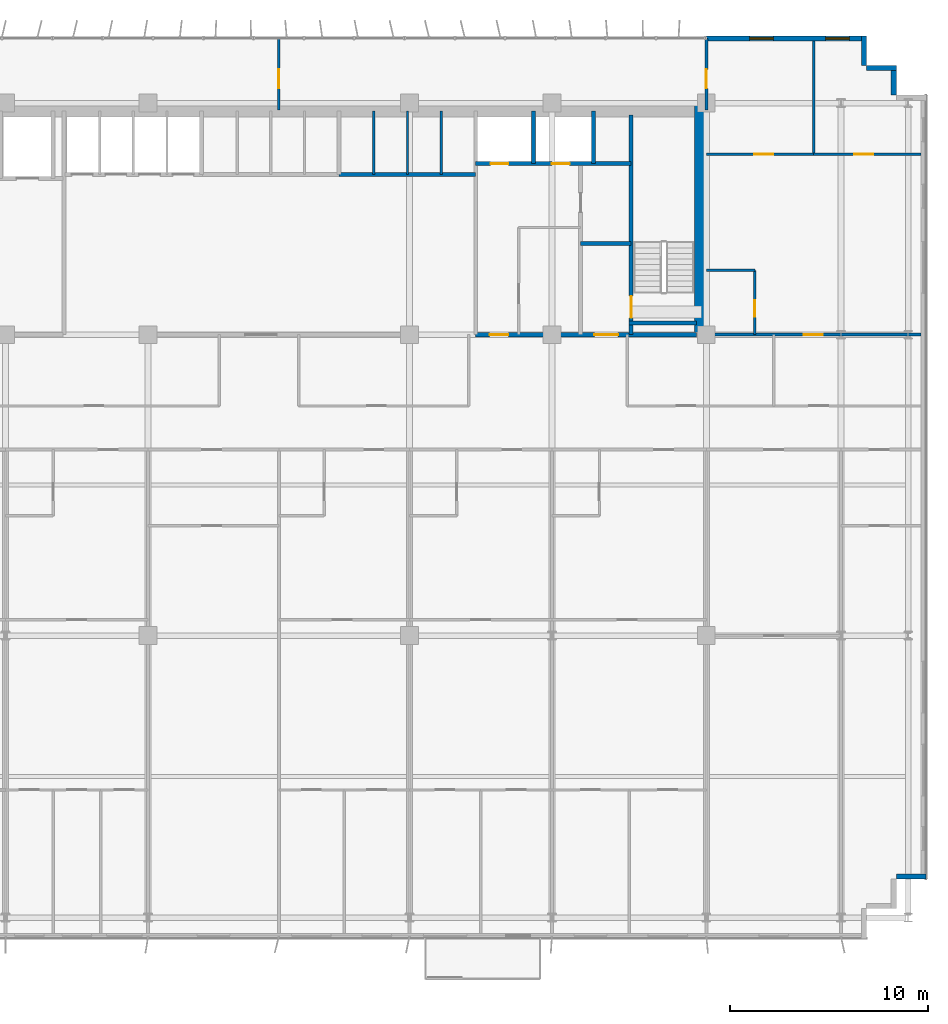
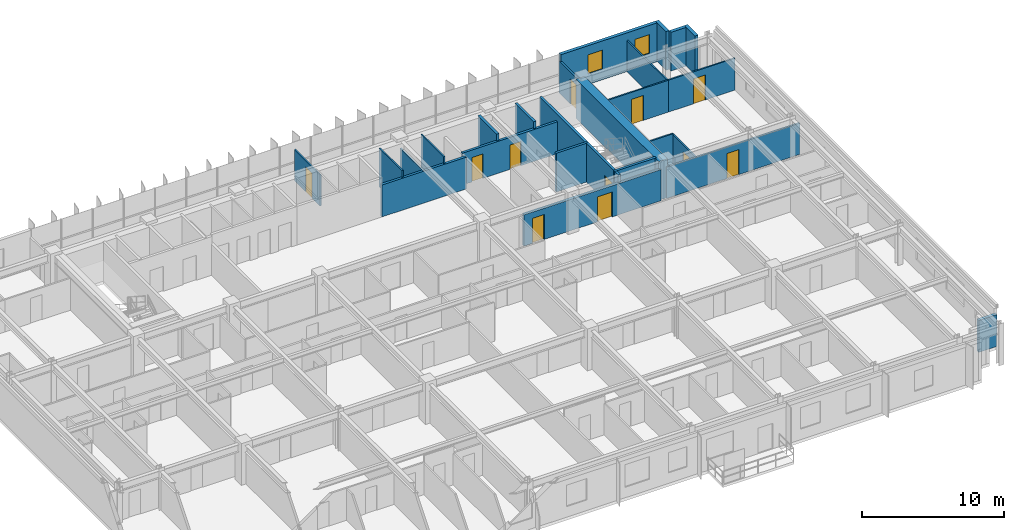
# One storey, part 20 of 24: 25 walls, 11 doors, 2 windows, 13 openings.
"""IFC4 building model written with IfcOpenShell, lengths in metres."""

from ifc_helpers import new_model, si_unit, direction, frame, frame_2d, origin, place, context, subcontext, project, spatial, rectangle, extrude, source, transform, mapped, material, layer, layer_set, type_object, element, fill, save


model = new_model("IFC4")

# Units and contexts
model_context = context("Model", 3, precision=1e-05, world=origin(), true_north=direction((0.0, 1.0)))
body_context = subcontext(model_context, "Body", "Model", "MODEL_VIEW")
ifc_project = project(units=[si_unit("LENGTHUNIT", "METRE"), si_unit("AREAUNIT", "SQUARE_METRE"), si_unit("VOLUMEUNIT", "CUBIC_METRE"), si_unit("PLANEANGLEUNIT", "RADIAN"), si_unit("MASSUNIT", "GRAM", prefix="KILO")], contexts=[model_context])

# Site, building, storey
site_placement = place(None, origin())
site = spatial("IfcSite", under=ifc_project, at=site_placement, CompositionType="ELEMENT")
building_placement = place(site_placement, origin())
building = spatial("IfcBuilding", under=site, at=building_placement, Name="Trelvane Seafront Commons", CompositionType="ELEMENT")
storey_placement = place(building_placement, frame((0.0, 0.0, 27.10009765625)))
storey = spatial("IfcBuildingStorey", under=building, at=storey_placement, Name="L06", CompositionType="ELEMENT", Elevation=27.10009765625)

# Wall, openings, windows
ifc_material_1 = material(Name="Precast concrete C40/50", Category="concrete")
ifc_layer_1 = layer(ifc_material_1, 0.260009765625, Name="ARCH-WALL-EXT260")
ifc_layer_set_1 = layer_set([ifc_layer_1], Name="Precast concrete C40/50")
wall_type_1 = type_object("IfcWallType", Name="ARCH-WALL-EXT260", PredefinedType="SOLIDWALL", material=ifc_layer_set_1)
wall_1_placement = place(storey_placement, frame((58.800048828125, 48.3701171875, 0.0), z_axis=(0.0, 0.0, 1.0), x_axis=(1.0, 0.0, 0.0)))
wall_1 = element("IfcWall", 1, at=wall_1_placement, inside=storey, type_object=wall_type_1, Name="EW-L06-NE-0067", PredefinedType="SOLIDWALL", context=body_context, shape_type="SweptSolid", body=[
    extrude(rectangle(XDim=8.0, YDim=0.260009765625, at=frame_2d((4.0, 0.0))), origin(), (0.0, 0.0, 1.0), 3.33984375),
])
opening_1_placement = place(wall_1_placement, frame((2.19189453125, 0.0, 0.89990234375)))
opening_1 = element("IfcOpeningElement", 2, at=opening_1_placement, cuts=wall_1, Name="Opening W05", PredefinedType="OPENING", context=body_context, shape_type="SweptSolid", body=[
    extrude(rectangle(XDim=1.199951171875, YDim=1.64990234375, at=frame_2d((0.60009765625, 0.824951171875))), frame((0.0, 0.139892578125, 0.0), z_axis=(0.0, -1.0, 0.0), x_axis=(1.0, 0.0, 0.0)), (0.0, 0.0, 1.0), 0.280029296875),
])
opening_2_placement = place(wall_1_placement, frame((6.032958984375, 0.0, 0.89990234375)))
opening_2 = element("IfcOpeningElement", 3, at=opening_2_placement, cuts=wall_1, Name="Opening W05", PredefinedType="OPENING", context=body_context, shape_type="SweptSolid", body=[
    extrude(rectangle(XDim=1.199951171875, YDim=1.64990234375, at=frame_2d((0.60009765625, 0.824951171875))), frame((0.0, 0.139892578125, 0.0), z_axis=(0.0, -1.0, 0.0), x_axis=(1.0, 0.0, 0.0)), (0.0, 0.0, 1.0), 0.280029296875),
])
ifc_material_2 = material(Name="Low-E coastal double glazing", Category="glass")
window_type = type_object("IfcWindowType", Name="ARCH-WIN-W05", PartitioningType="SINGLE_PANEL", PredefinedType="WINDOW", material=ifc_material_2)
shared_shape_1 = source(origin(), body_context, "Body", "SweptSolid", [
    extrude(rectangle(XDim=1.199951171875, YDim=1.64990234375, at=frame_2d((0.60009765625, 0.824951171875))), frame((0.0, 0.030029296875, 0.0), z_axis=(0.0, -1.0, 0.0), x_axis=(1.0, 0.0, 0.0)), (0.0, 0.0, 1.0), 0.06005859375),
])
window_1_placement = place(opening_1_placement, origin())
window_1 = element("IfcWindow", 4, at=window_1_placement, inside=storey, type_object=window_type, Name="WIN-L06-00102", OverallHeight=1.64990234375, OverallWidth=1.199951171875, PartitioningType="SINGLE_PANEL", PredefinedType="WINDOW", context=body_context, shape_type="MappedRepresentation", body=[
    mapped(shared_shape_1, transform((0.0, 0.0, 0.0), x_axis=(1.0, 0.0, 0.0), y_axis=(0.0, 1.0, 0.0), z_axis=(0.0, 0.0, 1.0), scale=1.0)),
])
fill(opening_1, window_1)
window_2_placement = place(opening_2_placement, origin())
window_2 = element("IfcWindow", 5, at=window_2_placement, inside=storey, type_object=window_type, Name="WIN-L06-00103", OverallHeight=1.64990234375, OverallWidth=1.199951171875, PartitioningType="SINGLE_PANEL", PredefinedType="WINDOW", context=body_context, shape_type="MappedRepresentation", body=[
    mapped(shared_shape_1, transform((0.0, 0.0, 0.0), x_axis=(1.0, 0.0, 0.0), y_axis=(0.0, 1.0, 0.0), z_axis=(0.0, 0.0, 1.0), scale=1.0)),
])
fill(opening_2, window_2)

# Walls
for number, where, z_axis, x_axis, name in (
    (6, (66.77001953125, 48.5, 0.0), (0.0, 0.0, 1.0), (0.0, -1.0, 0.0), "EW-L06-00076"),
    (7, (66.89990234375, 46.8701171875, 0.0), (0.0, 0.0, 1.0), (1.0, 0.0, 0.0), "EW-L06-00077"),
    (8, (68.27001953125, 47.0, 0.0), (0.0, 0.0, 1.0), (0.0, -1.0, 0.0), "EW-L06-00078"),
):
    element("IfcWall", number, at=place(storey_placement, frame(where, z_axis=z_axis, x_axis=x_axis)), inside=storey, type_object=wall_type_1, Name=name, PredefinedType="SOLIDWALL", context=body_context, shape_type="SweptSolid", body=[
        extrude(rectangle(XDim=1.5, YDim=0.260009765625, at=frame_2d((0.75, 0.0))), origin(), (0.0, 0.0, 1.0), 3.33984375),
    ])
wall_2_placement = place(storey_placement, frame((69.89990234375, 6.030029296875, 0.0), z_axis=(0.0, 0.0, 1.0), x_axis=(-1.0, 0.0, 0.0)))
element("IfcWall", 9, at=wall_2_placement, inside=storey, type_object=wall_type_1, Name="EW-L06-00081", PredefinedType="SOLIDWALL", context=body_context, shape_type="SweptSolid", body=[
    extrude(rectangle(XDim=1.5, YDim=0.260009765625, at=frame_2d((0.75, 0.0))), origin(), (0.0, 0.0, 1.0), 2.751953125),
])
ifc_material_3 = material(Name="Concrete C40/50", Category="concrete")
ifc_layer_2 = layer(ifc_material_3, 0.199951171875, Name="ARCH-WALL-FIRE200")
ifc_layer_set_2 = layer_set([ifc_layer_2], Name="Concrete C40/50")
wall_type_2 = type_object("IfcWallType", Name="ARCH-WALL-FIRE200", PredefinedType="PARTITIONING", material=ifc_layer_set_2)
wall_3_placement = place(storey_placement, frame((52.449951171875, 38.0, 0.0), z_axis=(0.0, 0.0, 1.0), x_axis=(1.0, 0.0, 0.0)))
element("IfcWall", 10, at=wall_3_placement, inside=storey, type_object=wall_type_2, Name="W-L06-ST2V-N-034", PredefinedType="PARTITIONING", context=body_context, shape_type="SweptSolid", body=[
    extrude(rectangle(XDim=2.550048828125, YDim=0.199951171875, at=frame_2d((1.27490234375, 0.0))), origin(), (0.0, 0.0, 1.0), 3.33984375),
])

# Wall, openings, doors
ifc_layer_3 = layer(ifc_material_3, 0.25, Name="ARCH-WALL-FIRE250")
ifc_layer_set_3 = layer_set([ifc_layer_3], Name="Concrete C40/50")
wall_type_3 = type_object("IfcWallType", Name="ARCH-WALL-FIRE250", PredefinedType="PARTITIONING", material=ifc_layer_set_3)
wall_4_placement = place(storey_placement, frame((47.14990234375, 33.39990234375, 0.0), z_axis=(0.0, 0.0, 1.0), x_axis=(1.0, 0.0, 0.0)))
wall_4 = element("IfcWall", 11, at=wall_4_placement, inside=storey, type_object=wall_type_3, Name="W-L06-CS-EAST-037", PredefinedType="PARTITIONING", context=body_context, shape_type="SweptSolid", body=[
    extrude(rectangle(XDim=11.150146484375, YDim=0.25, at=frame_2d((5.5751953125, 0.0))), origin(), (0.0, 0.0, 1.0), 2.68994140625),
])
opening_3_placement = place(wall_4_placement, frame((0.699951171875, 0.0, 0.0)))
opening_3 = element("IfcOpeningElement", 12, at=opening_3_placement, cuts=wall_4, Name="Opening FD-L06-15", PredefinedType="OPENING", context=body_context, shape_type="SweptSolid", body=[
    extrude(rectangle(XDim=0.949951171875, YDim=2.14990234375, at=frame_2d((0.47509765625, 1.074951171875))), frame((0.0, 0.135009765625, 0.0), z_axis=(0.0, -1.0, 0.0), x_axis=(1.0, 0.0, 0.0)), (0.0, 0.0, 1.0), 0.27001953125),
])
opening_4_placement = place(wall_4_placement, frame((6.0, 0.0, 0.0)))
opening_4 = element("IfcOpeningElement", 13, at=opening_4_placement, cuts=wall_4, Name="Opening FD-L06-16", PredefinedType="OPENING", context=body_context, shape_type="SweptSolid", body=[
    extrude(rectangle(XDim=1.199951171875, YDim=2.14990234375, at=frame_2d((0.60009765625, 1.074951171875))), frame((0.0, 0.135009765625, 0.0), z_axis=(0.0, -1.0, 0.0), x_axis=(1.0, 0.0, 0.0)), (0.0, 0.0, 1.0), 0.27001953125),
])
ifc_material_4 = material(Name="Powder-coated aluminium frame", Category="aluminium")
door_type_1 = type_object("IfcDoorType", Name="ARCH-DR-FD60-950", OperationType="NOTDEFINED", PredefinedType="DOOR", material=ifc_material_4)
shared_shape_2 = source(origin(), body_context, "Body", "SweptSolid", [
    extrude(rectangle(XDim=0.949951171875, YDim=2.14990234375, at=frame_2d((0.47509765625, 1.074951171875))), frame((0.0, 0.02490234375, 0.0), z_axis=(0.0, -1.0, 0.0), x_axis=(1.0, 0.0, 0.0)), (0.0, 0.0, 1.0), 0.050048828125),
])
door_1_placement = place(opening_3_placement, origin())
door_1 = element("IfcDoor", 14, at=door_1_placement, inside=storey, type_object=door_type_1, Name="L06 Core Service Lobby Door", OperationType="SINGLE_SWING_LEFT", OverallHeight=2.14990234375, OverallWidth=0.949951171875, PredefinedType="DOOR", context=body_context, shape_type="MappedRepresentation", body=[
    mapped(shared_shape_2, transform((0.0, 0.0, 0.0), x_axis=(1.0, 0.0, 0.0), y_axis=(0.0, 1.0, 0.0), z_axis=(0.0, 0.0, 1.0), scale=1.0)),
])
fill(opening_3, door_1)
door_type_2 = type_object("IfcDoorType", Name="ARCH-DR-FD60-1200", OperationType="NOTDEFINED", PredefinedType="DOOR", material=ifc_material_4)
shared_shape_3 = source(origin(), body_context, "Body", "SweptSolid", [
    extrude(rectangle(XDim=1.199951171875, YDim=2.14990234375, at=frame_2d((0.60009765625, 1.074951171875))), frame((0.0, 0.02490234375, 0.0), z_axis=(0.0, -1.0, 0.0), x_axis=(1.0, 0.0, 0.0)), (0.0, 0.0, 1.0), 0.050048828125),
])
door_2_placement = place(opening_4_placement, origin())
door_2 = element("IfcDoor", 15, at=door_2_placement, inside=storey, type_object=door_type_2, Name="L06 East Stair Vestibule Fire Door", OperationType="SINGLE_SWING_RIGHT", OverallHeight=2.14990234375, OverallWidth=1.199951171875, PredefinedType="DOOR", context=body_context, shape_type="MappedRepresentation", body=[
    mapped(shared_shape_3, transform((0.0, 0.0, 0.0), x_axis=(1.0, 0.0, 0.0), y_axis=(0.0, 1.0, 0.0), z_axis=(0.0, 0.0, 1.0), scale=1.0)),
])
fill(opening_4, door_2)

# Walls
ifc_material_5 = material(Name="Gypsum Drywall Acoustic Partition")
ifc_layer_4 = layer(ifc_material_5, 0.1201171875, Name="ARCH-WALL-PART120")
ifc_layer_set_4 = layer_set([ifc_layer_4], Name="Gypsum Drywall Acoustic Partition")
wall_type_4 = type_object("IfcWallType", Name="ARCH-WALL-PART120", PredefinedType="PARTITIONING", material=ifc_layer_set_4)
wall_5_placement = place(storey_placement, frame((42.0, 41.5, 0.0), z_axis=(0.0, 0.0, 1.0), x_axis=(0.0, 1.0, 0.0)))
element("IfcWall", 16, at=wall_5_placement, inside=storey, type_object=wall_type_4, Name="W-L06-PH-DIV1-025", PredefinedType="PARTITIONING", context=body_context, shape_type="SweptSolid", body=[
    extrude(rectangle(XDim=3.199951171875, YDim=0.1201171875, at=frame_2d((1.60009765625, 0.0))), origin(), (0.0, 0.0, 1.0), 3.33984375),
])
wall_6_placement = place(storey_placement, frame((43.699951171875, 41.5, 0.0), z_axis=(0.0, 0.0, 1.0), x_axis=(0.0, 1.0, 0.0)))
element("IfcWall", 17, at=wall_6_placement, inside=storey, type_object=wall_type_4, Name="W-L06-PH-DIV2-026", PredefinedType="PARTITIONING", context=body_context, shape_type="SweptSolid", body=[
    extrude(rectangle(XDim=3.199951171875, YDim=0.1201171875, at=frame_2d((1.60009765625, 0.0))), origin(), (0.0, 0.0, 1.0), 2.751953125),
])
wall_7_placement = place(storey_placement, frame((45.39990234375, 41.5, 0.0), z_axis=(0.0, 0.0, 1.0), x_axis=(0.0, 1.0, 0.0)))
element("IfcWall", 18, at=wall_7_placement, inside=storey, type_object=wall_type_4, Name="W-L06-PH-DIV3-027", PredefinedType="PARTITIONING", context=body_context, shape_type="SweptSolid", body=[
    extrude(rectangle(XDim=3.199951171875, YDim=0.1201171875, at=frame_2d((1.60009765625, 0.0))), origin(), (0.0, 0.0, 1.0), 3.33984375),
])

# Wall, opening, door
wall_8_placement = place(storey_placement, frame((61.25, 33.39990234375, 0.0), z_axis=(0.0, 0.0, 1.0), x_axis=(0.0, 1.0, 0.0)))
wall_8 = element("IfcWall", 19, at=wall_8_placement, inside=storey, type_object=wall_type_4, Name="W-L06-NE-BE-055", PredefinedType="PARTITIONING", context=body_context, shape_type="SweptSolid", body=[
    extrude(rectangle(XDim=3.25, YDim=0.1201171875, at=frame_2d((1.625, 0.0))), origin(), (0.0, 0.0, 1.0), 2.68994140625),
])
opening_5_placement = place(wall_8_placement, frame((0.89990234375, 0.0, 0.0)))
opening_5 = element("IfcOpeningElement", 20, at=opening_5_placement, cuts=wall_8, Name="Opening D-L06-26", PredefinedType="OPENING", context=body_context, shape_type="SweptSolid", body=[
    extrude(rectangle(XDim=0.85009765625, YDim=2.10009765625, at=frame_2d((0.425048828125, 1.050048828125))), frame((0.0, 0.070068359375, 0.0), z_axis=(0.0, -1.0, 0.0), x_axis=(1.0, 0.0, 0.0)), (0.0, 0.0, 1.0), 0.14013671875),
])
ifc_material_6 = material(Name="Acoustic timber door leaf", Category="wood")
door_type_3 = type_object("IfcDoorType", Name="ARCH-DR-INT850", OperationType="NOTDEFINED", PredefinedType="DOOR", material=ifc_material_6)
shared_shape_4 = source(origin(), body_context, "Body", "SweptSolid", [
    extrude(rectangle(XDim=0.85009765625, YDim=2.10009765625, at=frame_2d((0.425048828125, 1.050048828125))), frame((0.0, 0.02490234375, 0.0), z_axis=(0.0, -1.0, 0.0), x_axis=(1.0, 0.0, 0.0)), (0.0, 0.0, 1.0), 0.050048828125),
])
door_3_placement = place(opening_5_placement, origin())
door_3 = element("IfcDoor", 21, at=door_3_placement, inside=storey, type_object=door_type_3, Name="L06 Door 26", OperationType="SINGLE_SWING_RIGHT", OverallHeight=2.10009765625, OverallWidth=0.85009765625, PredefinedType="DOOR", context=body_context, shape_type="MappedRepresentation", body=[
    mapped(shared_shape_4, transform((0.0, 0.0, 0.0), x_axis=(1.0, 0.0, 0.0), y_axis=(0.0, 1.0, 0.0), z_axis=(0.0, 0.0, 1.0), scale=1.0)),
])
fill(opening_5, door_3)

# Wall
wall_9_placement = place(storey_placement, frame((58.800048828125, 36.64990234375, 0.0), z_axis=(0.0, 0.0, 1.0), x_axis=(1.0, 0.0, 0.0)))
element("IfcWall", 22, at=wall_9_placement, inside=storey, type_object=wall_type_4, Name="W-L06-NE-BN-056", PredefinedType="PARTITIONING", context=body_context, shape_type="SweptSolid", body=[
    extrude(rectangle(XDim=2.449951171875, YDim=0.1201171875, at=frame_2d((1.22509765625, 0.0))), origin(), (0.0, 0.0, 1.0), 2.751953125),
])

# Wall, opening, door
wall_10_placement = place(storey_placement, frame((58.800048828125, 42.52001953125, 0.0), z_axis=(0.0, 0.0, 1.0), x_axis=(1.0, 0.0, 0.0)))
wall_10 = element("IfcWall", 23, at=wall_10_placement, inside=storey, type_object=wall_type_4, Name="W-L06-NE-KB1-057", PredefinedType="PARTITIONING", context=body_context, shape_type="SweptSolid", body=[
    extrude(rectangle(XDim=5.425048828125, YDim=0.1201171875, at=frame_2d((2.71240234375, 0.0))), origin(), (0.0, 0.0, 1.0), 2.751953125),
])
opening_6_placement = place(wall_10_placement, frame((2.423095703125, 0.0, 0.0)))
opening_6 = element("IfcOpeningElement", 24, at=opening_6_placement, cuts=wall_10, Name="Opening D-L06-27", PredefinedType="OPENING", context=body_context, shape_type="SweptSolid", body=[
    extrude(rectangle(XDim=0.949951171875, YDim=2.14990234375, at=frame_2d((0.47509765625, 1.074951171875))), frame((0.0, 0.070068359375, 0.0), z_axis=(0.0, -1.0, 0.0), x_axis=(1.0, 0.0, 0.0)), (0.0, 0.0, 1.0), 0.14013671875),
])
door_type_4 = type_object("IfcDoorType", Name="ARCH-DR-INT950", OperationType="NOTDEFINED", PredefinedType="DOOR", material=ifc_material_6)
door_4_placement = place(opening_6_placement, origin())
door_4 = element("IfcDoor", 25, at=door_4_placement, inside=storey, type_object=door_type_4, Name="L06 Door 27", OperationType="SINGLE_SWING_LEFT", OverallHeight=2.14990234375, OverallWidth=0.949951171875, PredefinedType="DOOR", context=body_context, shape_type="MappedRepresentation", body=[
    mapped(shared_shape_2, transform((0.0, 0.0, 0.0), x_axis=(1.0, 0.0, 0.0), y_axis=(0.0, 1.0, 0.0), z_axis=(0.0, 0.0, 1.0), scale=1.0)),
])
fill(opening_6, door_4)

wall_11_placement = place(storey_placement, frame((64.22509765625, 42.52001953125, 0.0), z_axis=(0.0, 0.0, 1.0), x_axis=(1.0, 0.0, 0.0)))
wall_11 = element("IfcWall", 26, at=wall_11_placement, inside=storey, type_object=wall_type_4, Name="W-L06-NE-KB2-058", PredefinedType="PARTITIONING", context=body_context, shape_type="SweptSolid", body=[
    extrude(rectangle(XDim=5.4248046875, YDim=0.1201171875, at=frame_2d((2.71240234375, 0.0))), origin(), (0.0, 0.0, 1.0), 2.751953125),
])
opening_7_placement = place(wall_11_placement, frame((2.052001953125, 0.0, 0.0)))
opening_7 = element("IfcOpeningElement", 27, at=opening_7_placement, cuts=wall_11, Name="Opening D-L06-28", PredefinedType="OPENING", context=body_context, shape_type="SweptSolid", body=[
    extrude(rectangle(XDim=0.949951171875, YDim=2.14990234375, at=frame_2d((0.47509765625, 1.074951171875))), frame((0.0, 0.070068359375, 0.0), z_axis=(0.0, -1.0, 0.0), x_axis=(1.0, 0.0, 0.0)), (0.0, 0.0, 1.0), 0.14013671875),
])
door_5_placement = place(opening_7_placement, origin())
door_5 = element("IfcDoor", 28, at=door_5_placement, inside=storey, type_object=door_type_4, Name="L06 Door 28", OperationType="SINGLE_SWING_RIGHT", OverallHeight=2.14990234375, OverallWidth=0.949951171875, PredefinedType="DOOR", context=body_context, shape_type="MappedRepresentation", body=[
    mapped(shared_shape_2, transform((0.0, 0.0, 0.0), x_axis=(1.0, 0.0, 0.0), y_axis=(0.0, 1.0, 0.0), z_axis=(0.0, 0.0, 1.0), scale=1.0)),
])
fill(opening_7, door_5)

# Wall
wall_12_placement = place(storey_placement, frame((64.22509765625, 42.52001953125, 0.0), z_axis=(0.0, 0.0, 1.0), x_axis=(0.0, 1.0, 0.0)))
element("IfcWall", 29, at=wall_12_placement, inside=storey, type_object=wall_type_4, Name="W-L06-NE-KBDV-059", PredefinedType="PARTITIONING", context=body_context, shape_type="SweptSolid", body=[
    extrude(rectangle(XDim=5.719970703125, YDim=0.1201171875, at=frame_2d((2.85986328125, 0.0))), origin(), (0.0, 0.0, 1.0), 2.68994140625),
])

# Wall, opening, door
wall_13_placement = place(storey_placement, frame((37.199951171875, 44.75, 0.0), z_axis=(0.0, 0.0, 1.0), x_axis=(0.0, 1.0, 0.0)))
wall_13 = element("IfcWall", 30, at=wall_13_placement, inside=storey, type_object=wall_type_4, Name="W-L06-N-MID-DV-061", PredefinedType="PARTITIONING", context=body_context, shape_type="SweptSolid", body=[
    extrude(rectangle(XDim=3.610107421875, YDim=0.1201171875, at=frame_2d((1.80517578125, 0.0))), origin(), (0.0, 0.0, 1.0), 2.68994140625),
])
opening_8_placement = place(wall_13_placement, frame((1.10009765625, 0.0, 0.0)))
opening_8 = element("IfcOpeningElement", 31, at=opening_8_placement, cuts=wall_13, Name="Opening D-L06-30", PredefinedType="OPENING", context=body_context, shape_type="SweptSolid", body=[
    extrude(rectangle(XDim=0.949951171875, YDim=2.14990234375, at=frame_2d((0.47509765625, 1.074951171875))), frame((0.0, 0.070068359375, 0.0), z_axis=(0.0, -1.0, 0.0), x_axis=(1.0, 0.0, 0.0)), (0.0, 0.0, 1.0), 0.14013671875),
])
door_6_placement = place(opening_8_placement, origin())
door_6 = element("IfcDoor", 32, at=door_6_placement, inside=storey, type_object=door_type_4, Name="L06 Door 30", OperationType="SINGLE_SWING_RIGHT", OverallHeight=2.14990234375, OverallWidth=0.949951171875, PredefinedType="DOOR", context=body_context, shape_type="MappedRepresentation", body=[
    mapped(shared_shape_2, transform((0.0, 0.0, 0.0), x_axis=(1.0, 0.0, 0.0), y_axis=(0.0, 1.0, 0.0), z_axis=(0.0, 0.0, 1.0), scale=1.0)),
])
fill(opening_8, door_6)

ifc_layer_5 = layer(ifc_material_5, 0.14990234375, Name="ARCH-WALL-PART150")
ifc_layer_set_5 = layer_set([ifc_layer_5], Name="Gypsum Drywall Acoustic Partition")
wall_type_5 = type_object("IfcWallType", Name="ARCH-WALL-PART150", PredefinedType="PARTITIONING", material=ifc_layer_set_5)
wall_14_placement = place(storey_placement, frame((58.800048828125, 33.39990234375, 0.0), z_axis=(0.0, 0.0, 1.0), x_axis=(1.0, 0.0, 0.0)))
wall_14 = element("IfcWall", 33, at=wall_14_placement, inside=storey, type_object=wall_type_5, Name="W-L06-NE-ENT-060", PredefinedType="PARTITIONING", context=body_context, shape_type="SweptSolid", body=[
    extrude(rectangle(XDim=10.849853515625, YDim=0.14990234375, at=frame_2d((5.4248046875, 0.0))), origin(), (0.0, 0.0, 1.0), 2.68994140625),
])
opening_9_placement = place(wall_14_placement, frame((4.93310546875, 0.0, 0.0)))
opening_9 = element("IfcOpeningElement", 34, at=opening_9_placement, cuts=wall_14, Name="Opening FD-L06-29", PredefinedType="OPENING", context=body_context, shape_type="SweptSolid", body=[
    extrude(rectangle(XDim=0.949951171875, YDim=2.14990234375, at=frame_2d((0.47509765625, 1.074951171875))), frame((0.0, 0.0849609375, 0.0), z_axis=(0.0, -1.0, 0.0), x_axis=(1.0, 0.0, 0.0)), (0.0, 0.0, 1.0), 0.169921875),
])
door_7_placement = place(opening_9_placement, origin())
door_7 = element("IfcDoor", 35, at=door_7_placement, inside=storey, type_object=door_type_1, Name="L06 NE Flat Entrance Door", OperationType="SINGLE_SWING_LEFT", OverallHeight=2.14990234375, OverallWidth=0.949951171875, PredefinedType="DOOR", context=body_context, shape_type="MappedRepresentation", body=[
    mapped(shared_shape_2, transform((0.0, 0.0, 0.0), x_axis=(1.0, 0.0, 0.0), y_axis=(0.0, 1.0, 0.0), z_axis=(0.0, 0.0, 1.0), scale=1.0)),
])
fill(opening_9, door_7)

wall_15_placement = place(storey_placement, frame((58.800048828125, 44.75, 0.0), z_axis=(0.0, 0.0, 1.0), x_axis=(0.0, 1.0, 0.0)))
wall_15 = element("IfcWall", 36, at=wall_15_placement, inside=storey, type_object=wall_type_5, Name="W-L06-N-LINK-E-063", PredefinedType="PARTITIONING", context=body_context, shape_type="SweptSolid", body=[
    extrude(rectangle(XDim=3.610107421875, YDim=0.14990234375, at=frame_2d((1.80517578125, 0.0))), origin(), (0.0, 0.0, 1.0), 2.751953125),
])
opening_10_placement = place(wall_15_placement, frame((1.10009765625, 0.0, 0.0)))
opening_10 = element("IfcOpeningElement", 37, at=opening_10_placement, cuts=wall_15, Name="Opening FD-L06-32", PredefinedType="OPENING", context=body_context, shape_type="SweptSolid", body=[
    extrude(rectangle(XDim=0.949951171875, YDim=2.14990234375, at=frame_2d((0.47509765625, 1.074951171875))), frame((0.0, 0.0849609375, 0.0), z_axis=(0.0, -1.0, 0.0), x_axis=(1.0, 0.0, 0.0)), (0.0, 0.0, 1.0), 0.169921875),
])
door_8_placement = place(opening_10_placement, origin())
door_8 = element("IfcDoor", 38, at=door_8_placement, inside=storey, type_object=door_type_1, Name="L06 Door 32", OperationType="SINGLE_SWING_RIGHT", OverallHeight=2.14990234375, OverallWidth=0.949951171875, PredefinedType="DOOR", context=body_context, shape_type="MappedRepresentation", body=[
    mapped(shared_shape_2, transform((0.0, 0.0, 0.0), x_axis=(1.0, 0.0, 0.0), y_axis=(0.0, 1.0, 0.0), z_axis=(0.0, 0.0, 1.0), scale=1.0)),
])
fill(opening_10, door_8)

# Wall
ifc_layer_6 = layer(ifc_material_3, 0.199951171875, Name="ARCH-WALL-SHAFT200")
ifc_layer_set_6 = layer_set([ifc_layer_6], Name="Concrete C40/50")
wall_type_6 = type_object("IfcWallType", Name="ARCH-WALL-SHAFT200", PredefinedType="SOLIDWALL", material=ifc_layer_set_6)
wall_16_placement = place(storey_placement, frame((40.25, 41.5, 0.0), z_axis=(0.0, 0.0, 1.0), x_axis=(1.0, 0.0, 0.0)))
element("IfcWall", 39, at=wall_16_placement, inside=storey, type_object=wall_type_6, Name="W-L06-PH-FRONT-023", PredefinedType="SOLIDWALL", context=body_context, shape_type="SweptSolid", body=[
    extrude(rectangle(XDim=6.89990234375, YDim=0.199951171875, at=frame_2d((3.449951171875, 0.0))), origin(), (0.0, 0.0, 1.0), 2.751953125),
])

# Wall, openings, doors
wall_17_placement = place(storey_placement, frame((47.14990234375, 42.050048828125, 0.0), z_axis=(0.0, 0.0, 1.0), x_axis=(1.0, 0.0, 0.0)))
wall_17 = element("IfcWall", 40, at=wall_17_placement, inside=storey, type_object=wall_type_6, Name="W-L06-RSR-S-030", PredefinedType="SOLIDWALL", context=body_context, shape_type="SweptSolid", body=[
    extrude(rectangle(XDim=7.85009765625, YDim=0.199951171875, at=frame_2d((3.925048828125, 0.0))), origin(), (0.0, 0.0, 1.0), 2.751953125),
])
opening_11_placement = place(wall_17_placement, frame((0.75, 0.0, 0.0)))
opening_11 = element("IfcOpeningElement", 41, at=opening_11_placement, cuts=wall_17, Name="Opening FD-L06-11", PredefinedType="OPENING", context=body_context, shape_type="SweptSolid", body=[
    extrude(rectangle(XDim=0.89990234375, YDim=2.10009765625, at=frame_2d((0.449951171875, 1.050048828125))), frame((0.0, 0.10986328125, 0.0), z_axis=(0.0, -1.0, 0.0), x_axis=(1.0, 0.0, 0.0)), (0.0, 0.0, 1.0), 0.219970703125),
])
opening_12_placement = place(wall_17_placement, frame((3.85009765625, 0.0, 0.0)))
opening_12 = element("IfcOpeningElement", 42, at=opening_12_placement, cuts=wall_17, Name="Opening FD-L06-12", PredefinedType="OPENING", context=body_context, shape_type="SweptSolid", body=[
    extrude(rectangle(XDim=0.89990234375, YDim=2.10009765625, at=frame_2d((0.449951171875, 1.050048828125))), frame((0.0, 0.10986328125, 0.0), z_axis=(0.0, -1.0, 0.0), x_axis=(1.0, 0.0, 0.0)), (0.0, 0.0, 1.0), 0.219970703125),
])
door_type_5 = type_object("IfcDoorType", Name="ARCH-DR-FD60-900", OperationType="NOTDEFINED", PredefinedType="DOOR", material=ifc_material_4)
shared_shape_5 = source(origin(), body_context, "Body", "SweptSolid", [
    extrude(rectangle(XDim=0.89990234375, YDim=2.10009765625, at=frame_2d((0.449951171875, 1.050048828125))), frame((0.0, 0.02490234375, 0.0), z_axis=(0.0, -1.0, 0.0), x_axis=(1.0, 0.0, 0.0)), (0.0, 0.0, 1.0), 0.050048828125),
])
door_9_placement = place(opening_11_placement, origin())
door_9 = element("IfcDoor", 43, at=door_9_placement, inside=storey, type_object=door_type_5, Name="L06 Electrical Riser Access Door", OperationType="SINGLE_SWING_LEFT", OverallHeight=2.10009765625, OverallWidth=0.89990234375, PredefinedType="DOOR", context=body_context, shape_type="MappedRepresentation", body=[
    mapped(shared_shape_5, transform((0.0, 0.0, 0.0), x_axis=(1.0, 0.0, 0.0), y_axis=(0.0, 1.0, 0.0), z_axis=(0.0, 0.0, 1.0), scale=1.0)),
])
fill(opening_11, door_9)
door_10_placement = place(opening_12_placement, origin())
door_10 = element("IfcDoor", 44, at=door_10_placement, inside=storey, type_object=door_type_5, Name="L06 Mechanical Riser Access Door", OperationType="SINGLE_SWING_RIGHT", OverallHeight=2.10009765625, OverallWidth=0.89990234375, PredefinedType="DOOR", context=body_context, shape_type="MappedRepresentation", body=[
    mapped(shared_shape_5, transform((0.0, 0.0, 0.0), x_axis=(1.0, 0.0, 0.0), y_axis=(0.0, 1.0, 0.0), z_axis=(0.0, 0.0, 1.0), scale=1.0)),
])
fill(opening_12, door_10)

# Walls
for number, where, z_axis, x_axis, name in (
    (45, (50.080078125, 42.050048828125, 0.0), (0.0, 0.0, 1.0), (0.0, 1.0, 0.0), "W-L06-RSR-DIV-031"),
    (46, (53.10009765625, 42.050048828125, 0.0), (0.0, 0.0, 1.0), (0.0, 1.0, 0.0), "W-L06-RSR-E-032"),
):
    element("IfcWall", number, at=place(storey_placement, frame(where, z_axis=z_axis, x_axis=x_axis)), inside=storey, type_object=wall_type_6, Name=name, PredefinedType="SOLIDWALL", context=body_context, shape_type="SweptSolid", body=[
        extrude(rectangle(XDim=2.64990234375, YDim=0.199951171875, at=frame_2d((1.324951171875, 0.0))), origin(), (0.0, 0.0, 1.0), 3.33984375),
    ])
ifc_material_7 = material(Name="Concrete C60/75", Category="concrete")
ifc_layer_7 = layer(ifc_material_7, 0.699951171875, Name="STR-WALL-CORE700")
ifc_layer_set_7 = layer_set([ifc_layer_7], Name="Concrete C60/75")
wall_type_7 = type_object("IfcWallType", Name="STR-WALL-CORE700", PredefinedType="SHEAR", material=ifc_layer_set_7)
wall_18_placement = place(storey_placement, frame((58.550048828125, 33.39990234375, 0.0), z_axis=(0.0, 0.0, 1.0), x_axis=(0.0, 1.0, 0.0)))
element("IfcWall", 47, at=wall_18_placement, inside=storey, type_object=wall_type_7, Name="W-L06-CE-END-003", PredefinedType="SHEAR", context=body_context, shape_type="SweptSolid", body=[
    extrude(rectangle(XDim=11.7001953125, YDim=0.699951171875, at=frame_2d((5.85009765625, 0.0))), origin(), (0.0, 0.0, 1.0), 3.33984375),
])
ifc_material_8 = material(Name="Concrete C50/60", Category="concrete")
ifc_layer_8 = layer(ifc_material_8, 0.199951171875, Name="STR-WALL-STAIR200")
ifc_layer_set_8 = layer_set([ifc_layer_8], Name="Concrete C50/60")
wall_type_8 = type_object("IfcWallType", Name="STR-WALL-STAIR200", PredefinedType="SHEAR", material=ifc_layer_set_8)
wall_19_placement = place(storey_placement, frame((54.89990234375, 34.0, 0.0), z_axis=(0.0, 0.0, 1.0), x_axis=(1.0, 0.0, 0.0)))
element("IfcWall", 48, at=wall_19_placement, inside=storey, type_object=wall_type_8, Name="W-L06-ST2-S-006", PredefinedType="SHEAR", context=body_context, shape_type="SweptSolid", body=[
    extrude(rectangle(XDim=3.400146484375, YDim=0.199951171875, at=frame_2d((1.7001953125, 0.0))), origin(), (0.0, 0.0, 1.0), 3.33984375),
])

# Wall, opening, door
wall_20_placement = place(storey_placement, frame((55.0, 33.39990234375, 0.0), z_axis=(0.0, 0.0, 1.0), x_axis=(0.0, 1.0, 0.0)))
wall_20 = element("IfcWall", 49, at=wall_20_placement, inside=storey, type_object=wall_type_8, Name="W-L06-ST2-W-007", PredefinedType="SHEAR", context=body_context, shape_type="SweptSolid", body=[
    extrude(rectangle(XDim=11.10009765625, YDim=0.199951171875, at=frame_2d((5.550048828125, 0.0))), origin(), (0.0, 0.0, 1.0), 3.33984375),
])
opening_13_placement = place(wall_20_placement, frame((0.85009765625, 0.0, 0.0)))
opening_13 = element("IfcOpeningElement", 50, at=opening_13_placement, cuts=wall_20, Name="Opening ST-D2-L06", PredefinedType="OPENING", context=body_context, shape_type="SweptSolid", body=[
    extrude(rectangle(XDim=1.10009765625, YDim=2.14990234375, at=frame_2d((0.550048828125, 1.074951171875))), frame((0.0, 0.10986328125, 0.0), z_axis=(0.0, -1.0, 0.0), x_axis=(1.0, 0.0, 0.0)), (0.0, 0.0, 1.0), 0.219970703125),
])
door_type_6 = type_object("IfcDoorType", Name="ARCH-DR-FD90-1100", OperationType="NOTDEFINED", PredefinedType="DOOR", material=ifc_material_4)
shared_shape_6 = source(origin(), body_context, "Body", "SweptSolid", [
    extrude(rectangle(XDim=1.10009765625, YDim=2.14990234375, at=frame_2d((0.550048828125, 1.074951171875))), frame((0.0, 0.02490234375, 0.0), z_axis=(0.0, -1.0, 0.0), x_axis=(1.0, 0.0, 0.0)), (0.0, 0.0, 1.0), 0.050048828125),
])
door_11_placement = place(opening_13_placement, origin())
door_11 = element("IfcDoor", 51, at=door_11_placement, inside=storey, type_object=door_type_6, Name="L06 Stair ST-2 Vestibule Fire Door", OperationType="SINGLE_SWING_RIGHT", OverallHeight=2.14990234375, OverallWidth=1.10009765625, PredefinedType="DOOR", context=body_context, shape_type="MappedRepresentation", body=[
    mapped(shared_shape_6, transform((0.0, 0.0, 0.0), x_axis=(1.0, 0.0, 0.0), y_axis=(0.0, 1.0, 0.0), z_axis=(0.0, 0.0, 1.0), scale=1.0)),
])
fill(opening_13, door_11)

save(model, "model.ifc")
